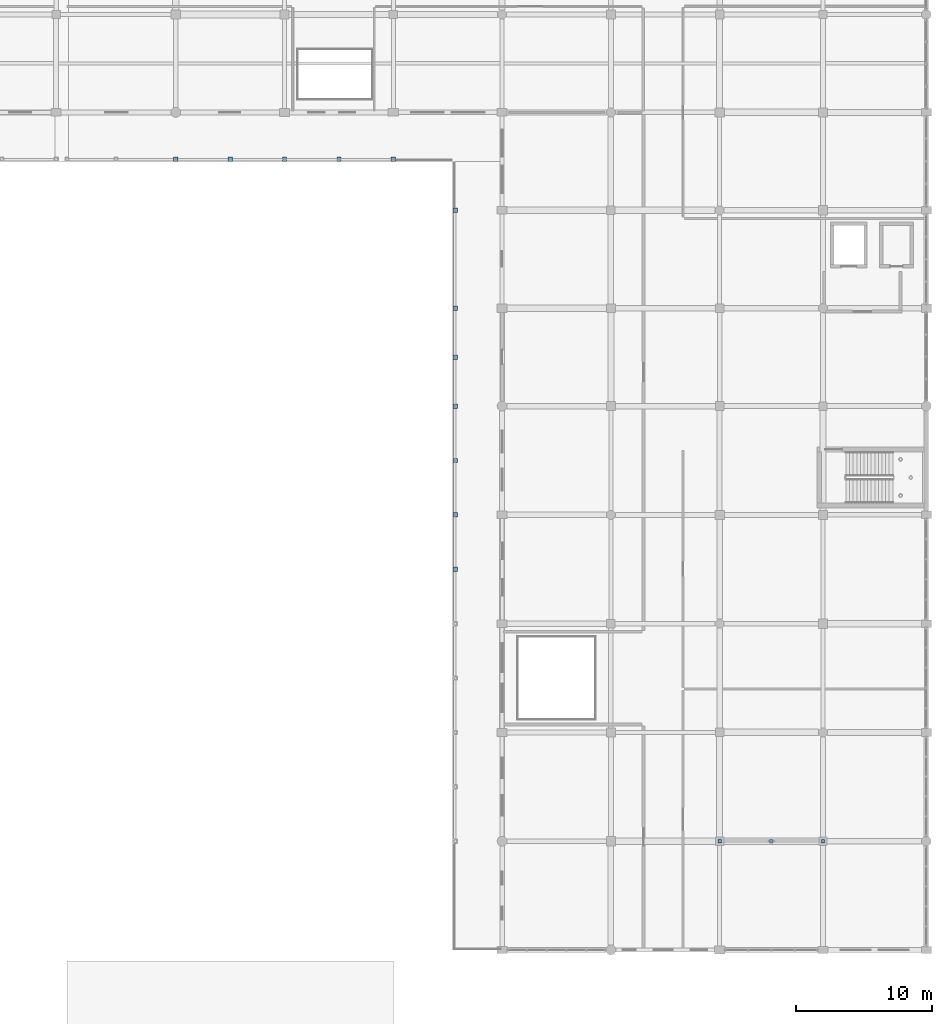
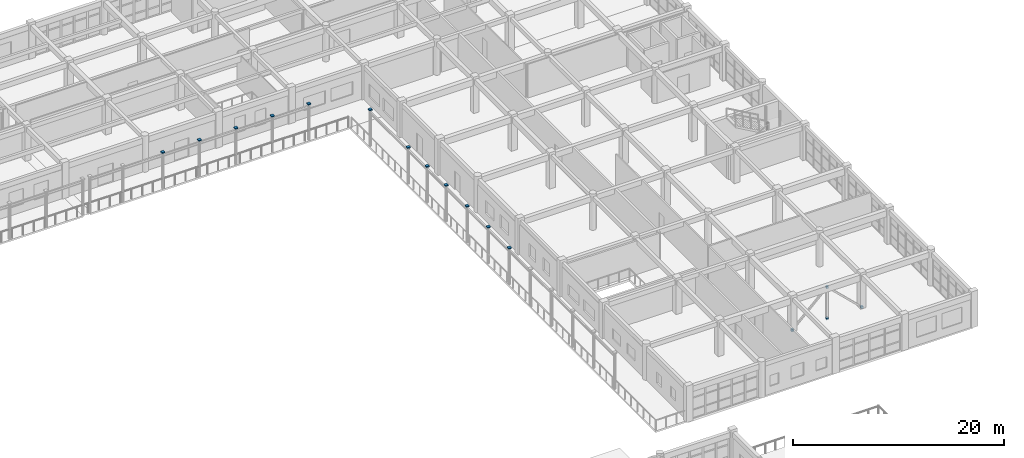
# One storey, part 181 of 195: 16 discrete accessories.
"""IFC4 building model written with IfcOpenShell, lengths in metres."""

import ifcopenshell
import ifcopenshell.guid

model = None  # the IFC model being written
_history = None  # IfcOwnerHistory: only IFC2X3 demands one
_inside = {}  # id of a spatial element -> (the spatial element, [elements in it])
_under = {}  # id of a project, library or spatial element -> (it, [spatial elements below it])
_declared = {}  # id of a project -> (the project, [libraries it declares])
_typed = {}  # id of a type object -> (the type object, [elements of that type])
_made_of = {}  # id of a material, layer set ... -> (it, [elements and type objects made of it])


def new_model(schema):
    """Start an empty IFC model of exactly this schema.

    Asked for "IFC4X3", IfcOpenShell would pick the latest addendum, in which some entities
    have other attributes; the version numbers below select the first issue.
    IFC2X3 requires an IfcOwnerHistory on every rooted entity: one is made here for all.
    """
    global model, _history
    if schema == "IFC4X3":
        model = ifcopenshell.file(schema_version=(4, 3, 0, 0))
    else:
        model = ifcopenshell.file(schema=schema)
    _inside.clear()
    _under.clear()
    _declared.clear()
    _typed.clear()
    _made_of.clear()
    _history = None
    if model.schema == "IFC2X3":
        org = make("IfcOrganization", Name="unknown")
        user = make(
            "IfcPersonAndOrganization",
            ThePerson=make("IfcPerson", FamilyName="unknown"),
            TheOrganization=org,
        )
        app = make(
            "IfcApplication",
            ApplicationDeveloper=org,
            Version="unknown",
            ApplicationFullName="unknown",
            ApplicationIdentifier="unknown",
        )
        _history = make(
            "IfcOwnerHistory",
            OwningUser=user,
            OwningApplication=app,
            ChangeAction="ADDED",
            CreationDate=0,
        )
    return model


def make(cls, **values):
    """One entity of the class cls with the attributes given. An attribute that is None is left unset."""
    return model.create_entity(
        cls, **{name: value for name, value in values.items() if value is not None}
    )


def rooted(cls, **values):
    """An entity with a GlobalId (a new one), such as an element, a storey or a relation."""
    return make(cls, GlobalId=ifcopenshell.guid.new(), OwnerHistory=_history, **values)


def si_unit(unit_type, name, prefix=None):
    """IfcSIUnit, for example si_unit("LENGTHUNIT", "METRE", prefix="MILLI")."""
    return make("IfcSIUnit", UnitType=unit_type, Prefix=prefix, Name=name)


def assignment(units):
    """IfcUnitAssignment: the units of a project."""
    return None if units is None else make("IfcUnitAssignment", Units=units)


def point(xyz):
    """IfcCartesianPoint."""
    return None if xyz is None else make("IfcCartesianPoint", Coordinates=xyz)


def direction(xyz):
    """IfcDirection."""
    return None if xyz is None else make("IfcDirection", DirectionRatios=xyz)


def frame(location, z_axis=None, x_axis=None):
    """IfcAxis2Placement3D, a coordinate frame: its origin and axes. An axis left out is left unset."""
    return make(
        "IfcAxis2Placement3D",
        Location=point(location),
        Axis=direction(z_axis),
        RefDirection=direction(x_axis),
    )


def frame_2d(location, x_axis=None):
    """IfcAxis2Placement2D, a coordinate frame in the plane: its origin and x axis."""
    return make(
        "IfcAxis2Placement2D", Location=point(location), RefDirection=direction(x_axis)
    )


def origin():
    """The frame at (0, 0, 0) with its axes left unset."""
    return frame((0.0, 0.0, 0.0))


def origin_2d():
    """The frame at (0, 0) in the plane with its x axis left unset."""
    return frame_2d((0.0, 0.0))


def place(relative_to, where):
    """IfcLocalPlacement: puts the frame where relative to a parent placement (None: the world)."""
    return make(
        "IfcLocalPlacement", PlacementRelTo=relative_to, RelativePlacement=where
    )


def context(
    kind, dimensions, precision=None, world=None, true_north=None, identifier=None
):
    """IfcGeometricRepresentationContext, for example the 3D "Model" context."""
    return make(
        "IfcGeometricRepresentationContext",
        ContextIdentifier=identifier,
        ContextType=kind,
        CoordinateSpaceDimension=dimensions,
        Precision=precision,
        WorldCoordinateSystem=world,
        TrueNorth=true_north,
    )


def subcontext(parent, identifier, kind, view, scale=None):
    """IfcGeometricRepresentationSubContext, for example "Body" below "Model"."""
    return make(
        "IfcGeometricRepresentationSubContext",
        ContextIdentifier=identifier,
        ContextType=kind,
        ParentContext=parent,
        TargetScale=scale,
        TargetView=view,
    )


def project(units=None, contexts=None):
    """IfcProject with its units and contexts."""
    return rooted(
        "IfcProject",
        Name="project",
        RepresentationContexts=contexts,
        UnitsInContext=assignment(units),
    )


def spatial(cls, under=None, at=None, **own):
    """A site, building, storey or space (cls), placed at a placement, below another one or the project."""
    s = rooted(cls, ObjectPlacement=at, **own)
    if under is not None:
        _under.setdefault(under.id(), (under, []))[1].append(s)
    return s


def profile(cls, at=None, kind="AREA", **sizes):
    """A parametric profile (cls). Its sizes go by their IFC names, for example OverallWidth=200.0."""
    return make(cls, ProfileType=kind, Position=at, **sizes)


def rectangle(**sizes):
    """IfcRectangleProfileDef."""
    return profile("IfcRectangleProfileDef", **sizes)


def extrude(swept, where, along, depth):
    """IfcExtrudedAreaSolid: the profile swept, set in the frame where, extruded along a direction by depth."""
    return make(
        "IfcExtrudedAreaSolid",
        SweptArea=swept,
        Position=where,
        ExtrudedDirection=direction(along),
        Depth=depth,
    )


def shape(context_of_items, identifier, shape_type, items):
    """IfcShapeRepresentation: the items that make up one representation, for example the "Body"."""
    return make(
        "IfcShapeRepresentation",
        ContextOfItems=context_of_items,
        RepresentationIdentifier=identifier,
        RepresentationType=shape_type,
        Items=items,
    )


def material(Name=None, Category=None):
    """IfcMaterial."""
    return make("IfcMaterial", Name=Name, Category=Category)


def made_of(thing, what):
    """Note that an element or type object is made of a material, layer set ...; save() writes the relation."""
    if what is not None:
        _made_of.setdefault(what.id(), (what, []))[1].append(thing)
    return thing


def type_object(cls, material=None, **own):
    """A type object (cls), such as IfcWallType, which elements share."""
    return made_of(rooted(cls, **own), material)


def element(
    cls,
    number,
    at=None,
    inside=None,
    cuts=None,
    type_object=None,
    material=None,
    context=None,
    identifier="Body",
    shape_type=None,
    held_by="IfcProductDefinitionShape",
    body=None,
    shapes=None,
    **own,
):
    """One element of the class cls, such as IfcWall. Its Tag is "e" and its number.

    at: its placement. inside: the storey or other place that contains it. cuts: it is an
    opening in that element (IfcRelVoidsElement). A single representation is given by context,
    identifier, shape_type and body (its items); several are given by shapes. held_by: the class
    of the entity that holds the representations. save() writes the other relations.
    """
    e = rooted(cls, Tag="e%d" % number, ObjectPlacement=at, **own)
    if body is not None:
        shapes = [shape(context, identifier, shape_type, body)]
    if shapes is not None:
        e.Representation = make(held_by, Representations=shapes)
    if inside is not None:
        _inside.setdefault(inside.id(), (inside, []))[1].append(e)
    if cuts is not None:
        rooted(
            "IfcRelVoidsElement", RelatingBuildingElement=cuts, RelatedOpeningElement=e
        )
    if type_object is not None:
        _typed.setdefault(type_object.id(), (type_object, []))[1].append(e)
    return made_of(e, material)


def aggregate(whole, parts):
    """IfcRelAggregates: a whole, such as a stair, and the parts it consists of."""
    return rooted("IfcRelAggregates", RelatingObject=whole, RelatedObjects=parts)


def save(model, path):
    """Write the relations noted so far, then the file.

    IfcRelAggregates (storeys below a building ...), IfcRelContainedInSpatialStructure (elements
    in a storey), IfcRelDefinesByType, IfcRelAssociatesMaterial and IfcRelDeclares: one each for
    every whole, place, type object, material and project.
    """
    for whole, parts in _under.values():
        aggregate(whole, parts)
    for where, things in _inside.values():
        rooted(
            "IfcRelContainedInSpatialStructure",
            RelatedElements=things,
            RelatingStructure=where,
        )
    for kind, things in _typed.values():
        rooted("IfcRelDefinesByType", RelatedObjects=things, RelatingType=kind)
    for what, things in _made_of.values():
        rooted("IfcRelAssociatesMaterial", RelatedObjects=things, RelatingMaterial=what)
    for by, libraries in _declared.values():
        rooted("IfcRelDeclares", RelatingContext=by, RelatedDefinitions=libraries)
    model.write(path)


model = new_model("IFC4")

# Units and contexts
model_context = context("Model", 3, precision=1e-05, world=origin(), true_north=direction((0.0, 1.0)))
body_context = subcontext(model_context, "Body", "Model", "MODEL_VIEW")
ifc_project = project(units=[si_unit("LENGTHUNIT", "METRE"), si_unit("AREAUNIT", "SQUARE_METRE"), si_unit("VOLUMEUNIT", "CUBIC_METRE"), si_unit("PLANEANGLEUNIT", "RADIAN"), si_unit("MASSUNIT", "GRAM", prefix="KILO")], contexts=[model_context])

# Site, building, storey
site_placement = place(None, origin())
site = spatial("IfcSite", under=ifc_project, at=site_placement, CompositionType="ELEMENT")
building_placement = place(site_placement, origin())
building = spatial("IfcBuilding", under=site, at=building_placement, Name="Kharva Crest Polytechnic", CompositionType="ELEMENT")
storey_placement = place(building_placement, frame((0.0, 0.0, 9.0)))
storey = spatial("IfcBuildingStorey", under=building, at=storey_placement, Name="L02", CompositionType="ELEMENT", Elevation=9.0)

# Discrete accessories
ifc_material = material(Name="Steel S355", Category="steel")
discrete_accessory_type_1 = type_object("IfcDiscreteAccessoryType", Name="ACC-SHOE-BF240", PredefinedType="SHOE", material=ifc_material)
for number, where, z_axis, x_axis, name in (
    (1, (168.800048828125, 46.800048828125, -0.1201171875), (0.0, 0.0, 1.0), (1.0, 0.0, 0.0), "L02 Brace Foot Shoe 9A"),
    (2, (176.39990234375, 46.800048828125, -0.1201171875), (0.0, 0.0, 1.0), (1.0, 0.0, 0.0), "L02 Brace Foot Shoe 9B"),
    (3, (172.60009765625, 46.800048828125, 3.52978515625), (0.0, 0.0, 1.0), (1.0, 0.0, 0.0), "L02 Brace TOP Shoe 9"),
    (4, (172.60009765625, 46.800048828125, -0.1201171875), (0.0, 0.0, 1.0), (1.0, 0.0, 0.0), "L02 Brace BOT Shoe 9"),
):
    element("IfcDiscreteAccessory", number, at=place(storey_placement, frame(where, z_axis=z_axis, x_axis=x_axis)), inside=storey, type_object=discrete_accessory_type_1, Name=name, PredefinedType="SHOE", context=body_context, shape_type="SweptSolid", body=[
        extrude(rectangle(XDim=0.239990234375, YDim=0.239990234375, at=origin_2d()), origin(), (0.0, 0.0, 1.0), 0.239990234375),
    ])
discrete_accessory_type_2 = type_object("IfcDiscreteAccessoryType", Name="ACC-SHOE-COL320", PredefinedType="SHOE", material=ifc_material)
for number, where, z_axis, x_axis, name in (
    (5, (128.800048828125, 96.949951171875, 4.139892578125), (0.0, 0.0, 1.0), (1.0, 0.0, 0.0), "L02 Colonnade Cap Shoe VN11"),
    (6, (136.800048828125, 96.949951171875, 4.139892578125), (0.0, 0.0, 1.0), (1.0, 0.0, 0.0), "L02 Colonnade Cap Shoe VN12"),
    (7, (144.800048828125, 96.949951171875, 4.139892578125), (0.0, 0.0, 1.0), (1.0, 0.0, 0.0), "L02 Colonnade Cap Shoe VN13"),
    (8, (149.35009765625, 70.800048828125, 4.139892578125), (0.0, 0.0, 1.0), (1.0, 0.0, 0.0), "L02 Colonnade Cap Shoe VE04"),
    (9, (149.35009765625, 78.800048828125, 4.139892578125), (0.0, 0.0, 1.0), (1.0, 0.0, 0.0), "L02 Colonnade Cap Shoe VE05"),
    (10, (149.35009765625, 86.0, 4.139892578125), (0.0, 0.0, 1.0), (1.0, 0.0, 0.0), "L02 Colonnade Cap Shoe VE06"),
    (11, (149.35009765625, 93.199951171875, 4.139892578125), (0.0, 0.0, 1.0), (1.0, 0.0, 0.0), "L02 Colonnade Cap Shoe VE07"),
    (12, (149.35009765625, 66.800048828125, 4.139892578125), (0.0, 0.0, 1.0), (1.0, 0.0, 0.0), "L02 Colonnade Mid Cap Shoe VEM03"),
    (13, (149.35009765625, 74.800048828125, 4.139892578125), (0.0, 0.0, 1.0), (1.0, 0.0, 0.0), "L02 Colonnade Mid Cap Shoe VEM04"),
    (14, (149.35009765625, 82.39990234375, 4.139892578125), (0.0, 0.0, 1.0), (1.0, 0.0, 0.0), "L02 Colonnade Mid Cap Shoe VEM05"),
    (15, (132.800048828125, 96.949951171875, 4.139892578125), (0.0, 0.0, 1.0), (1.0, 0.0, 0.0), "L02 Colonnade Mid Cap Shoe VNM10"),
    (16, (140.800048828125, 96.949951171875, 4.139892578125), (0.0, 0.0, 1.0), (1.0, 0.0, 0.0), "L02 Colonnade Mid Cap Shoe VNM11"),
):
    element("IfcDiscreteAccessory", number, at=place(storey_placement, frame(where, z_axis=z_axis, x_axis=x_axis)), inside=storey, type_object=discrete_accessory_type_2, Name=name, PredefinedType="SHOE", context=body_context, shape_type="SweptSolid", body=[
        extrude(rectangle(XDim=0.320068359375, YDim=0.320068359375, at=origin_2d()), origin(), (0.0, 0.0, 1.0), 0.1201171875),
    ])

save(model, "model.ifc")
